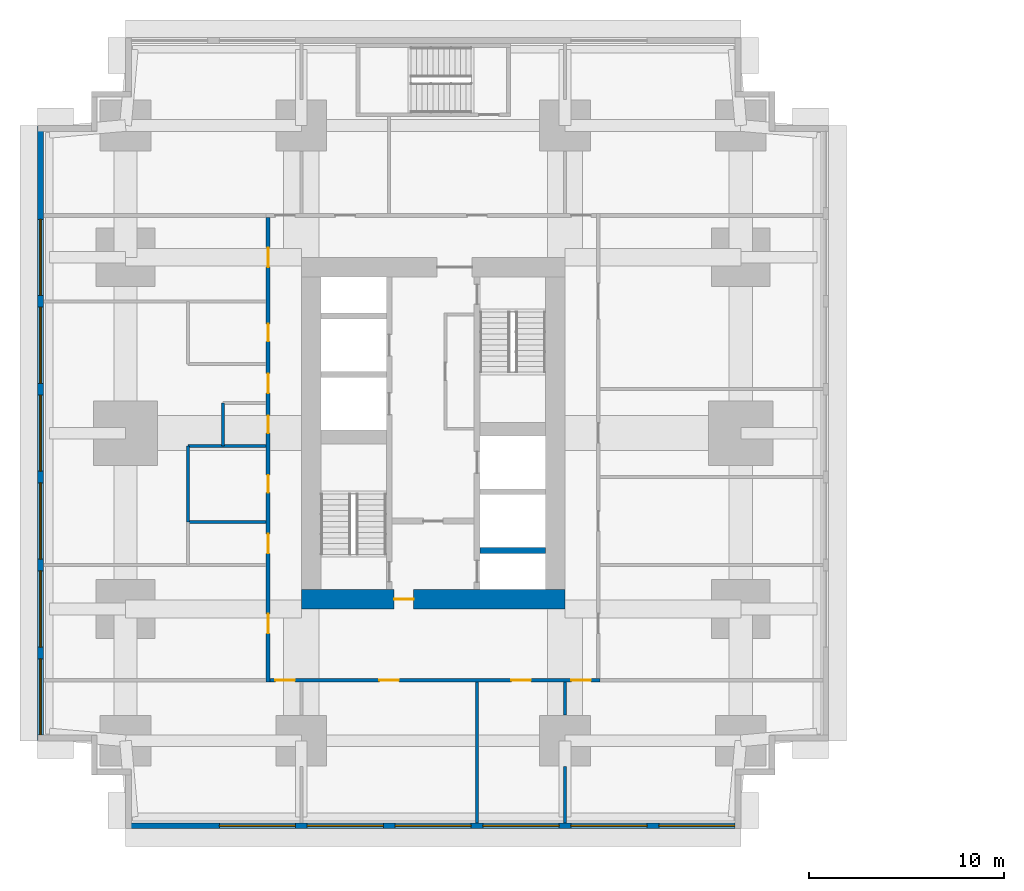
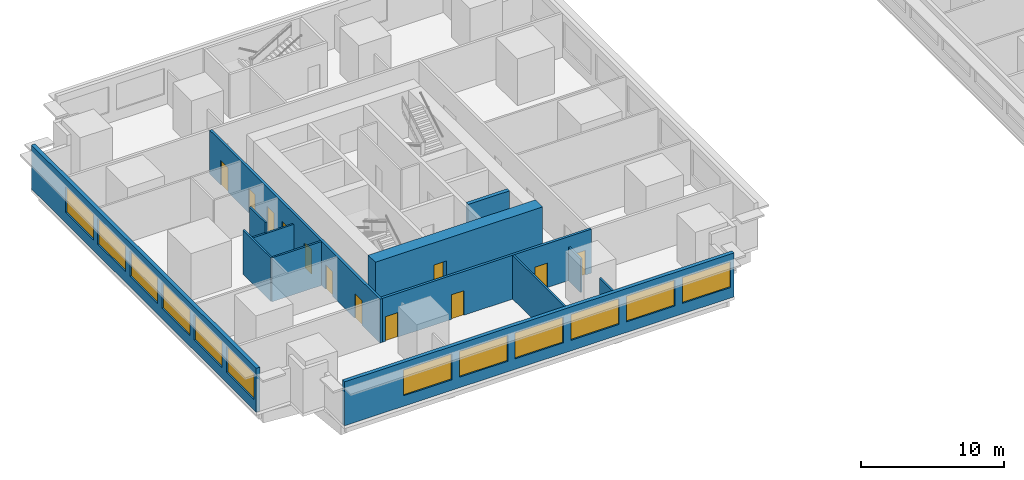
# One storey, part 3 of 11: 13 walls, 12 doors, 12 windows, 24 openings.
"""IFC4 building model written with IfcOpenShell, lengths in metres."""

from ifc_helpers import new_model, si_unit, direction, frame, frame_2d, origin, place, context, subcontext, project, spatial, rectangle, extrude, material, layer, layer_set, type_object, element, fill, save


model = new_model("IFC4")

# Units and contexts
model_context = context("Model", 3, precision=1e-05, world=origin(), true_north=direction((0.0, 1.0)))
body_context = subcontext(model_context, "Body", "Model", "MODEL_VIEW")
ifc_project = project(units=[si_unit("LENGTHUNIT", "METRE"), si_unit("AREAUNIT", "SQUARE_METRE"), si_unit("VOLUMEUNIT", "CUBIC_METRE"), si_unit("PLANEANGLEUNIT", "RADIAN"), si_unit("MASSUNIT", "GRAM", prefix="KILO")], contexts=[model_context])

# Site, building, storey
site_placement = place(None, origin())
site = spatial("IfcSite", under=ifc_project, at=site_placement, CompositionType="ELEMENT")
building_placement = place(site_placement, origin())
building = spatial("IfcBuilding", under=site, at=building_placement, Name="Namib Vertical Campus", CompositionType="ELEMENT")
storey_placement = place(building_placement, frame((0.0, 0.0, 25.0)))
storey = spatial("IfcBuildingStorey", under=building, at=storey_placement, Name="L05", CompositionType="ELEMENT", Elevation=25.0)

# Wall
ifc_material_1 = material(Name="Concrete C60/75", Category="concrete")
ifc_layer_1 = layer(ifc_material_1, 0.300048828125)
ifc_layer_set_1 = layer_set([ifc_layer_1], Name="Concrete C60/75")
wall_type_1 = type_object("IfcWallType", Name="Core inner wall 300", PredefinedType="SHEAR", material=ifc_layer_set_1)
wall_1_placement = place(storey_placement, frame((22.64990234375, 14.25, 0.0), z_axis=(0.0, 0.0, 1.0), x_axis=(1.0, 0.0, 0.0)))
element("IfcWall", 1, at=wall_1_placement, inside=storey, type_object=wall_type_1, Name="Core inner wall A L05 W5", PredefinedType="SHEAR", context=body_context, shape_type="SweptSolid", body=[
    extrude(rectangle(XDim=3.35009765625, YDim=0.300048828125, at=frame_2d((1.675048828125, 0.0))), origin(), (0.0, 0.0, 1.0), 4.0),
])

# Wall, opening, door
ifc_material_2 = material(Name="Concrete C60/75", Category="concrete")
ifc_layer_2 = layer(ifc_material_2, 1.0)
ifc_layer_set_2 = layer_set([ifc_layer_2], Name="Concrete C60/75")
wall_type_2 = type_object("IfcWallType", Name="Core wall 1000", PredefinedType="SHEAR", material=ifc_layer_set_2)
wall_2_placement = place(storey_placement, frame((13.5, 11.75, 0.0), z_axis=(0.0, 0.0, 1.0), x_axis=(1.0, 0.0, 0.0)))
wall_2 = element("IfcWall", 2, at=wall_2_placement, inside=storey, type_object=wall_type_2, Name="Core wall A L05 1", PredefinedType="SHEAR", context=body_context, shape_type="SweptSolid", body=[
    extrude(rectangle(XDim=13.5, YDim=1.0, at=frame_2d((6.75, 0.0))), origin(), (0.0, 0.0, 1.0), 4.0),
])
opening_1_placement = place(wall_2_placement, frame((4.75, 0.0, 0.0)))
opening_1 = element("IfcOpeningElement", 3, at=opening_1_placement, cuts=wall_2, Name="Opening FD5", PredefinedType="OPENING", context=body_context, shape_type="SweptSolid", body=[
    extrude(rectangle(XDim=1.0, YDim=2.10009765625, at=frame_2d((0.5, 1.050048828125))), frame((0.0, 0.510009765625, 0.0), z_axis=(0.0, -1.0, 0.0), x_axis=(1.0, 0.0, 0.0)), (0.0, 0.0, 1.0), 1.02001953125),
])
ifc_material_3 = material(Name="Steel fire door", Category="steel")
door_type_1 = type_object("IfcDoorType", Name="Fire door 1000x2100 120 min", OperationType="SINGLE_SWING_RIGHT", PredefinedType="DOOR", material=ifc_material_3)
door_1_placement = place(opening_1_placement, origin())
door_1 = element("IfcDoor", 4, at=door_1_placement, inside=storey, type_object=door_type_1, Name="Firefighting lobby door FD5 A L05", OperationType="SINGLE_SWING_LEFT", OverallHeight=2.10009765625, OverallWidth=1.0, PredefinedType="DOOR", context=body_context, shape_type="SweptSolid", body=[
    extrude(rectangle(XDim=1.0, YDim=2.10009765625, at=frame_2d((0.5, 1.050048828125))), frame((0.0, 0.02490234375, 0.0), z_axis=(0.0, -1.0, 0.0), x_axis=(1.0, 0.0, 0.0)), (0.0, 0.0, 1.0), 0.050048828125),
])
fill(opening_1, door_1)

# Wall, openings, doors
ifc_material_4 = material(Name="Concrete masonry", Category="masonry")
ifc_layer_3 = layer(ifc_material_4, 0.199951171875)
ifc_layer_set_3 = layer_set([ifc_layer_3], Name="Corridor wall 200")
wall_type_3 = type_object("IfcWallType", Name="Corridor wall 200", PredefinedType="SOLIDWALL", material=ifc_layer_set_3)
wall_3_placement = place(storey_placement, frame((11.89990234375, 7.60009765625, 0.0), z_axis=(0.0, 0.0, 1.0), x_axis=(1.0, 0.0, 0.0)))
wall_3 = element("IfcWall", 5, at=wall_3_placement, inside=storey, type_object=wall_type_3, Name="Corridor wall A L05 CS", PredefinedType="SOLIDWALL", context=body_context, shape_type="SweptSolid", body=[
    extrude(rectangle(XDim=16.900146484375, YDim=0.199951171875, at=frame_2d((8.4501953125, 0.0))), origin(), (0.0, 0.0, 1.0), 3.75),
])
opening_2_placement = place(wall_3_placement, frame((0.27490234375, 0.0, 0.0)))
opening_2 = element("IfcOpeningElement", 6, at=opening_2_placement, cuts=wall_3, Name="Opening CD1", PredefinedType="OPENING", context=body_context, shape_type="SweptSolid", body=[
    extrude(rectangle(XDim=1.0, YDim=2.10009765625, at=frame_2d((0.5, 1.050048828125))), frame((0.0, 0.10986328125, 0.0), z_axis=(0.0, -1.0, 0.0), x_axis=(1.0, 0.0, 0.0)), (0.0, 0.0, 1.0), 0.219970703125),
])
opening_3_placement = place(wall_3_placement, frame((5.60009765625, 0.0, 0.0)))
opening_3 = element("IfcOpeningElement", 7, at=opening_3_placement, cuts=wall_3, Name="Opening CD1", PredefinedType="OPENING", context=body_context, shape_type="SweptSolid", body=[
    extrude(rectangle(XDim=1.0, YDim=2.10009765625, at=frame_2d((0.5, 1.050048828125))), frame((0.0, 0.10986328125, 0.0), z_axis=(0.0, -1.0, 0.0), x_axis=(1.0, 0.0, 0.0)), (0.0, 0.0, 1.0), 0.219970703125),
])
opening_4_placement = place(wall_3_placement, frame((12.35009765625, 0.0, 0.0)))
opening_4 = element("IfcOpeningElement", 8, at=opening_4_placement, cuts=wall_3, Name="Opening CD1", PredefinedType="OPENING", context=body_context, shape_type="SweptSolid", body=[
    extrude(rectangle(XDim=1.0, YDim=2.10009765625, at=frame_2d((0.5, 1.050048828125))), frame((0.0, 0.10986328125, 0.0), z_axis=(0.0, -1.0, 0.0), x_axis=(1.0, 0.0, 0.0)), (0.0, 0.0, 1.0), 0.219970703125),
])
opening_5_placement = place(wall_3_placement, frame((15.425048828125, 0.0, 0.0)))
opening_5 = element("IfcOpeningElement", 9, at=opening_5_placement, cuts=wall_3, Name="Opening CD1", PredefinedType="OPENING", context=body_context, shape_type="SweptSolid", body=[
    extrude(rectangle(XDim=1.0, YDim=2.10009765625, at=frame_2d((0.5, 1.050048828125))), frame((0.0, 0.10986328125, 0.0), z_axis=(0.0, -1.0, 0.0), x_axis=(1.0, 0.0, 0.0)), (0.0, 0.0, 1.0), 0.219970703125),
])
ifc_material_5 = material(Name="Timber fire door leaf", Category="wood")
door_type_2 = type_object("IfcDoorType", Name="Corridor door 1000x2100 20 min", OperationType="SINGLE_SWING_LEFT", PredefinedType="DOOR", material=ifc_material_5)
door_2_placement = place(opening_2_placement, frame((1.0, 0.0, 0.0), z_axis=(0.0, 0.0, 1.0), x_axis=(-1.0, 0.0, 0.0)))
door_2 = element("IfcDoor", 10, at=door_2_placement, inside=storey, type_object=door_type_2, Name="Door CD1 A05-01", OperationType="SINGLE_SWING_LEFT", OverallHeight=2.10009765625, OverallWidth=1.0, PredefinedType="DOOR", context=body_context, shape_type="SweptSolid", body=[
    extrude(rectangle(XDim=1.0, YDim=2.10009765625, at=frame_2d((0.5, 1.050048828125))), frame((0.0, 0.02490234375, 0.0), z_axis=(0.0, -1.0, 0.0), x_axis=(1.0, 0.0, 0.0)), (0.0, 0.0, 1.0), 0.050048828125),
])
fill(opening_2, door_2)
door_3_placement = place(opening_3_placement, frame((1.0, 0.0, 0.0), z_axis=(0.0, 0.0, 1.0), x_axis=(-1.0, 0.0, 0.0)))
door_3 = element("IfcDoor", 11, at=door_3_placement, inside=storey, type_object=door_type_2, Name="Door CD1 A05-02", OperationType="SINGLE_SWING_RIGHT", OverallHeight=2.10009765625, OverallWidth=1.0, PredefinedType="DOOR", context=body_context, shape_type="SweptSolid", body=[
    extrude(rectangle(XDim=1.0, YDim=2.10009765625, at=frame_2d((0.5, 1.050048828125))), frame((0.0, 0.02490234375, 0.0), z_axis=(0.0, -1.0, 0.0), x_axis=(1.0, 0.0, 0.0)), (0.0, 0.0, 1.0), 0.050048828125),
])
fill(opening_3, door_3)
door_4_placement = place(opening_4_placement, frame((1.0, 0.0, 0.0), z_axis=(0.0, 0.0, 1.0), x_axis=(-1.0, 0.0, 0.0)))
door_4 = element("IfcDoor", 12, at=door_4_placement, inside=storey, type_object=door_type_2, Name="Door CD1 A05-03", OperationType="SINGLE_SWING_RIGHT", OverallHeight=2.10009765625, OverallWidth=1.0, PredefinedType="DOOR", context=body_context, shape_type="SweptSolid", body=[
    extrude(rectangle(XDim=1.0, YDim=2.10009765625, at=frame_2d((0.5, 1.050048828125))), frame((0.0, 0.02490234375, 0.0), z_axis=(0.0, -1.0, 0.0), x_axis=(1.0, 0.0, 0.0)), (0.0, 0.0, 1.0), 0.050048828125),
])
fill(opening_4, door_4)
door_5_placement = place(opening_5_placement, frame((1.0, 0.0, 0.0), z_axis=(0.0, 0.0, 1.0), x_axis=(-1.0, 0.0, 0.0)))
door_5 = element("IfcDoor", 13, at=door_5_placement, inside=storey, type_object=door_type_2, Name="Door CD1 A05-04", OperationType="SINGLE_SWING_RIGHT", OverallHeight=2.10009765625, OverallWidth=1.0, PredefinedType="DOOR", context=body_context, shape_type="SweptSolid", body=[
    extrude(rectangle(XDim=1.0, YDim=2.10009765625, at=frame_2d((0.5, 1.050048828125))), frame((0.0, 0.02490234375, 0.0), z_axis=(0.0, -1.0, 0.0), x_axis=(1.0, 0.0, 0.0)), (0.0, 0.0, 1.0), 0.050048828125),
])
fill(opening_5, door_5)

wall_4_placement = place(storey_placement, frame((11.800048828125, 31.300048828125, 0.0), z_axis=(0.0, 0.0, 1.0), x_axis=(0.0, -1.0, 0.0)))
wall_4 = element("IfcWall", 14, at=wall_4_placement, inside=storey, type_object=wall_type_3, Name="Corridor wall A L05 CW", PredefinedType="SOLIDWALL", context=body_context, shape_type="SweptSolid", body=[
    extrude(rectangle(XDim=23.800048828125, YDim=0.199951171875, at=frame_2d((11.89990234375, 0.0))), origin(), (0.0, 0.0, 1.0), 3.75),
])
opening_6_placement = place(wall_4_placement, frame((20.300048828125, 0.0, 0.0)))
opening_6 = element("IfcOpeningElement", 15, at=opening_6_placement, cuts=wall_4, Name="Opening CD1", PredefinedType="OPENING", context=body_context, shape_type="SweptSolid", body=[
    extrude(rectangle(XDim=1.0, YDim=2.10009765625, at=frame_2d((0.5, 1.050048828125))), frame((0.0, 0.10986328125, 0.0), z_axis=(0.0, -1.0, 0.0), x_axis=(1.0, 0.0, 0.0)), (0.0, 0.0, 1.0), 0.219970703125),
])
opening_7_placement = place(wall_4_placement, frame((16.199951171875, 0.0, 0.0)))
opening_7 = element("IfcOpeningElement", 16, at=opening_7_placement, cuts=wall_4, Name="Opening CD1", PredefinedType="OPENING", context=body_context, shape_type="SweptSolid", body=[
    extrude(rectangle(XDim=1.0, YDim=2.10009765625, at=frame_2d((0.5, 1.050048828125))), frame((0.0, 0.10986328125, 0.0), z_axis=(0.0, -1.0, 0.0), x_axis=(1.0, 0.0, 0.0)), (0.0, 0.0, 1.0), 0.219970703125),
])
opening_8_placement = place(wall_4_placement, frame((13.199951171875, 0.0, 0.0)))
opening_8 = element("IfcOpeningElement", 17, at=opening_8_placement, cuts=wall_4, Name="Opening CD3", PredefinedType="OPENING", context=body_context, shape_type="SweptSolid", body=[
    extrude(rectangle(XDim=0.89990234375, YDim=2.10009765625, at=frame_2d((0.449951171875, 1.050048828125))), frame((0.0, 0.10986328125, 0.0), z_axis=(0.0, -1.0, 0.0), x_axis=(1.0, 0.0, 0.0)), (0.0, 0.0, 1.0), 0.219970703125),
])
opening_9_placement = place(wall_4_placement, frame((10.14990234375, 0.0, 0.0)))
opening_9 = element("IfcOpeningElement", 18, at=opening_9_placement, cuts=wall_4, Name="Opening CD3", PredefinedType="OPENING", context=body_context, shape_type="SweptSolid", body=[
    extrude(rectangle(XDim=0.89990234375, YDim=2.10009765625, at=frame_2d((0.449951171875, 1.050048828125))), frame((0.0, 0.10986328125, 0.0), z_axis=(0.0, -1.0, 0.0), x_axis=(1.0, 0.0, 0.0)), (0.0, 0.0, 1.0), 0.219970703125),
])
opening_10_placement = place(wall_4_placement, frame((5.449951171875, 0.0, 0.0)))
opening_10 = element("IfcOpeningElement", 19, at=opening_10_placement, cuts=wall_4, Name="Opening CD3", PredefinedType="OPENING", context=body_context, shape_type="SweptSolid", body=[
    extrude(rectangle(XDim=0.89990234375, YDim=2.10009765625, at=frame_2d((0.449951171875, 1.050048828125))), frame((0.0, 0.10986328125, 0.0), z_axis=(0.0, -1.0, 0.0), x_axis=(1.0, 0.0, 0.0)), (0.0, 0.0, 1.0), 0.219970703125),
])
opening_11_placement = place(wall_4_placement, frame((8.0, 0.0, 0.0)))
opening_11 = element("IfcOpeningElement", 20, at=opening_11_placement, cuts=wall_4, Name="Opening CD1", PredefinedType="OPENING", context=body_context, shape_type="SweptSolid", body=[
    extrude(rectangle(XDim=1.0, YDim=2.10009765625, at=frame_2d((0.5, 1.050048828125))), frame((0.0, 0.10986328125, 0.0), z_axis=(0.0, -1.0, 0.0), x_axis=(1.0, 0.0, 0.0)), (0.0, 0.0, 1.0), 0.219970703125),
])
opening_12_placement = place(wall_4_placement, frame((1.550048828125, 0.0, 0.0)))
opening_12 = element("IfcOpeningElement", 21, at=opening_12_placement, cuts=wall_4, Name="Opening CD1", PredefinedType="OPENING", context=body_context, shape_type="SweptSolid", body=[
    extrude(rectangle(XDim=1.0, YDim=2.10009765625, at=frame_2d((0.5, 1.050048828125))), frame((0.0, 0.10986328125, 0.0), z_axis=(0.0, -1.0, 0.0), x_axis=(1.0, 0.0, 0.0)), (0.0, 0.0, 1.0), 0.219970703125),
])
door_6_placement = place(opening_6_placement, frame((1.0, 0.0, 0.0), z_axis=(0.0, 0.0, 1.0), x_axis=(-1.0, 0.0, 0.0)))
door_6 = element("IfcDoor", 22, at=door_6_placement, inside=storey, type_object=door_type_2, Name="Door CD1 A05-13", OperationType="SINGLE_SWING_RIGHT", OverallHeight=2.10009765625, OverallWidth=1.0, PredefinedType="DOOR", context=body_context, shape_type="SweptSolid", body=[
    extrude(rectangle(XDim=1.0, YDim=2.10009765625, at=frame_2d((0.5, 1.050048828125))), frame((0.0, 0.02490234375, 0.0), z_axis=(0.0, -1.0, 0.0), x_axis=(1.0, 0.0, 0.0)), (0.0, 0.0, 1.0), 0.050048828125),
])
fill(opening_6, door_6)
door_7_placement = place(opening_7_placement, frame((1.0, 0.0, 0.0), z_axis=(0.0, 0.0, 1.0), x_axis=(-1.0, 0.0, 0.0)))
door_7 = element("IfcDoor", 23, at=door_7_placement, inside=storey, type_object=door_type_2, Name="Door CD1 A05-14", OperationType="SINGLE_SWING_RIGHT", OverallHeight=2.10009765625, OverallWidth=1.0, PredefinedType="DOOR", context=body_context, shape_type="SweptSolid", body=[
    extrude(rectangle(XDim=1.0, YDim=2.10009765625, at=frame_2d((0.5, 1.050048828125))), frame((0.0, 0.02490234375, 0.0), z_axis=(0.0, -1.0, 0.0), x_axis=(1.0, 0.0, 0.0)), (0.0, 0.0, 1.0), 0.050048828125),
])
fill(opening_7, door_7)
door_8_placement = place(opening_11_placement, frame((1.0, 0.0, 0.0), z_axis=(0.0, 0.0, 1.0), x_axis=(-1.0, 0.0, 0.0)))
door_8 = element("IfcDoor", 24, at=door_8_placement, inside=storey, type_object=door_type_2, Name="Door CD1 A05-18", OperationType="SINGLE_SWING_RIGHT", OverallHeight=2.10009765625, OverallWidth=1.0, PredefinedType="DOOR", context=body_context, shape_type="SweptSolid", body=[
    extrude(rectangle(XDim=1.0, YDim=2.10009765625, at=frame_2d((0.5, 1.050048828125))), frame((0.0, 0.02490234375, 0.0), z_axis=(0.0, -1.0, 0.0), x_axis=(1.0, 0.0, 0.0)), (0.0, 0.0, 1.0), 0.050048828125),
])
fill(opening_11, door_8)
door_9_placement = place(opening_12_placement, frame((1.0, 0.0, 0.0), z_axis=(0.0, 0.0, 1.0), x_axis=(-1.0, 0.0, 0.0)))
door_9 = element("IfcDoor", 25, at=door_9_placement, inside=storey, type_object=door_type_2, Name="Door CD1 A05-19", OperationType="SINGLE_SWING_RIGHT", OverallHeight=2.10009765625, OverallWidth=1.0, PredefinedType="DOOR", context=body_context, shape_type="SweptSolid", body=[
    extrude(rectangle(XDim=1.0, YDim=2.10009765625, at=frame_2d((0.5, 1.050048828125))), frame((0.0, 0.02490234375, 0.0), z_axis=(0.0, -1.0, 0.0), x_axis=(1.0, 0.0, 0.0)), (0.0, 0.0, 1.0), 0.050048828125),
])
fill(opening_12, door_9)
ifc_material_6 = material(Name="Timber fire door leaf", Category="wood")
door_type_3 = type_object("IfcDoorType", Name="Corridor toilet door 900x2100 20 min", OperationType="SINGLE_SWING_LEFT", PredefinedType="DOOR", material=ifc_material_6)
door_10_placement = place(opening_8_placement, frame((0.89990234375, 0.0, 0.0), z_axis=(0.0, 0.0, 1.0), x_axis=(-1.0, 0.0, 0.0)))
door_10 = element("IfcDoor", 26, at=door_10_placement, inside=storey, type_object=door_type_3, Name="Door CD3 A05-15", OperationType="SINGLE_SWING_RIGHT", OverallHeight=2.10009765625, OverallWidth=0.89990234375, PredefinedType="DOOR", context=body_context, shape_type="SweptSolid", body=[
    extrude(rectangle(XDim=0.89990234375, YDim=2.10009765625, at=frame_2d((0.449951171875, 1.050048828125))), frame((0.0, 0.02490234375, 0.0), z_axis=(0.0, -1.0, 0.0), x_axis=(1.0, 0.0, 0.0)), (0.0, 0.0, 1.0), 0.050048828125),
])
fill(opening_8, door_10)
door_11_placement = place(opening_9_placement, frame((0.89990234375, 0.0, 0.0), z_axis=(0.0, 0.0, 1.0), x_axis=(-1.0, 0.0, 0.0)))
door_11 = element("IfcDoor", 27, at=door_11_placement, inside=storey, type_object=door_type_3, Name="Door CD3 A05-16", OperationType="SINGLE_SWING_RIGHT", OverallHeight=2.10009765625, OverallWidth=0.89990234375, PredefinedType="DOOR", context=body_context, shape_type="SweptSolid", body=[
    extrude(rectangle(XDim=0.89990234375, YDim=2.10009765625, at=frame_2d((0.449951171875, 1.050048828125))), frame((0.0, 0.02490234375, 0.0), z_axis=(0.0, -1.0, 0.0), x_axis=(1.0, 0.0, 0.0)), (0.0, 0.0, 1.0), 0.050048828125),
])
fill(opening_9, door_11)
door_12_placement = place(opening_10_placement, frame((0.89990234375, 0.0, 0.0), z_axis=(0.0, 0.0, 1.0), x_axis=(-1.0, 0.0, 0.0)))
door_12 = element("IfcDoor", 28, at=door_12_placement, inside=storey, type_object=door_type_3, Name="Door CD3 A05-17", OperationType="SINGLE_SWING_RIGHT", OverallHeight=2.10009765625, OverallWidth=0.89990234375, PredefinedType="DOOR", context=body_context, shape_type="SweptSolid", body=[
    extrude(rectangle(XDim=0.89990234375, YDim=2.10009765625, at=frame_2d((0.449951171875, 1.050048828125))), frame((0.0, 0.02490234375, 0.0), z_axis=(0.0, -1.0, 0.0), x_axis=(1.0, 0.0, 0.0)), (0.0, 0.0, 1.0), 0.050048828125),
])
fill(opening_10, door_12)

# Wall, openings, windows
ifc_material_7 = material(Name="Concrete C40/50", Category="concrete")
ifc_layer_4 = layer(ifc_material_7, 0.300048828125)
ifc_layer_set_4 = layer_set([ifc_layer_4], Name="Concrete C40/50")
wall_type_4 = type_object("IfcWallType", Name="External wall 300 board-marked concrete", PredefinedType="STANDARD", material=ifc_layer_set_4)
wall_5_placement = place(storey_placement, frame((4.52001953125, 0.14990234375, 0.0), z_axis=(0.0, 0.0, 1.0), x_axis=(1.0, 0.0, 0.0)))
wall_5 = element("IfcWall", 29, at=wall_5_placement, inside=storey, type_object=wall_type_4, Name="External wall L05 F01", PredefinedType="STANDARD", context=body_context, shape_type="SweptSolid", body=[
    extrude(rectangle(XDim=31.4599609375, YDim=0.300048828125, at=frame_2d((15.72998046875, 0.0))), origin(), (0.0, 0.0, 1.0), 3.75),
])
opening_13_placement = place(wall_5_placement, frame((4.780029296875, 0.0, 0.89990234375)))
opening_13 = element("IfcOpeningElement", 30, at=opening_13_placement, cuts=wall_5, Name="Opening W1", PredefinedType="OPENING", context=body_context, shape_type="SweptSolid", body=[
    extrude(rectangle(XDim=3.89990234375, YDim=2.199951171875, at=frame_2d((1.949951171875, 1.10009765625))), frame((0.0, 0.159912109375, 0.0), z_axis=(0.0, -1.0, 0.0), x_axis=(1.0, 0.0, 0.0)), (0.0, 0.0, 1.0), 0.320068359375),
])
opening_14_placement = place(wall_5_placement, frame((9.280029296875, 0.0, 0.89990234375)))
opening_14 = element("IfcOpeningElement", 31, at=opening_14_placement, cuts=wall_5, Name="Opening W1", PredefinedType="OPENING", context=body_context, shape_type="SweptSolid", body=[
    extrude(rectangle(XDim=3.89990234375, YDim=2.199951171875, at=frame_2d((1.949951171875, 1.10009765625))), frame((0.0, 0.159912109375, 0.0), z_axis=(0.0, -1.0, 0.0), x_axis=(1.0, 0.0, 0.0)), (0.0, 0.0, 1.0), 0.320068359375),
])
opening_15_placement = place(wall_5_placement, frame((13.780029296875, 0.0, 0.89990234375)))
opening_15 = element("IfcOpeningElement", 32, at=opening_15_placement, cuts=wall_5, Name="Opening W1", PredefinedType="OPENING", context=body_context, shape_type="SweptSolid", body=[
    extrude(rectangle(XDim=3.89990234375, YDim=2.199951171875, at=frame_2d((1.949951171875, 1.10009765625))), frame((0.0, 0.159912109375, 0.0), z_axis=(0.0, -1.0, 0.0), x_axis=(1.0, 0.0, 0.0)), (0.0, 0.0, 1.0), 0.320068359375),
])
opening_16_placement = place(wall_5_placement, frame((18.280029296875, 0.0, 0.89990234375)))
opening_16 = element("IfcOpeningElement", 33, at=opening_16_placement, cuts=wall_5, Name="Opening W1", PredefinedType="OPENING", context=body_context, shape_type="SweptSolid", body=[
    extrude(rectangle(XDim=3.89990234375, YDim=2.199951171875, at=frame_2d((1.949951171875, 1.10009765625))), frame((0.0, 0.159912109375, 0.0), z_axis=(0.0, -1.0, 0.0), x_axis=(1.0, 0.0, 0.0)), (0.0, 0.0, 1.0), 0.320068359375),
])
opening_17_placement = place(wall_5_placement, frame((22.780029296875, 0.0, 0.89990234375)))
opening_17 = element("IfcOpeningElement", 34, at=opening_17_placement, cuts=wall_5, Name="Opening W1", PredefinedType="OPENING", context=body_context, shape_type="SweptSolid", body=[
    extrude(rectangle(XDim=3.89990234375, YDim=2.199951171875, at=frame_2d((1.949951171875, 1.10009765625))), frame((0.0, 0.159912109375, 0.0), z_axis=(0.0, -1.0, 0.0), x_axis=(1.0, 0.0, 0.0)), (0.0, 0.0, 1.0), 0.320068359375),
])
opening_18_placement = place(wall_5_placement, frame((27.280029296875, 0.0, 0.89990234375)))
opening_18 = element("IfcOpeningElement", 35, at=opening_18_placement, cuts=wall_5, Name="Opening W1", PredefinedType="OPENING", context=body_context, shape_type="SweptSolid", body=[
    extrude(rectangle(XDim=3.89990234375, YDim=2.199951171875, at=frame_2d((1.949951171875, 1.10009765625))), frame((0.0, 0.159912109375, 0.0), z_axis=(0.0, -1.0, 0.0), x_axis=(1.0, 0.0, 0.0)), (0.0, 0.0, 1.0), 0.320068359375),
])
ifc_material_8 = material(Name="Dark tinted glass in black aluminium frame", Category="aluminium")
window_type = type_object("IfcWindowType", Name="Ribbon window 3900x2200", PartitioningType="SINGLE_PANEL", PredefinedType="WINDOW", material=ifc_material_8)
window_1_placement = place(opening_13_placement, origin())
window_1 = element("IfcWindow", 36, at=window_1_placement, inside=storey, type_object=window_type, Name="Window W1 L05 F01-2", OverallHeight=2.199951171875, OverallWidth=3.89990234375, PartitioningType="SINGLE_PANEL", PredefinedType="WINDOW", context=body_context, shape_type="SweptSolid", body=[
    extrude(rectangle(XDim=3.89990234375, YDim=2.199951171875, at=frame_2d((1.949951171875, 1.10009765625))), frame((0.0, 0.030029296875, 0.0), z_axis=(0.0, -1.0, 0.0), x_axis=(1.0, 0.0, 0.0)), (0.0, 0.0, 1.0), 0.06005859375),
])
fill(opening_13, window_1)
window_2_placement = place(opening_14_placement, origin())
window_2 = element("IfcWindow", 37, at=window_2_placement, inside=storey, type_object=window_type, Name="Window W1 L05 F01-3", OverallHeight=2.199951171875, OverallWidth=3.89990234375, PartitioningType="SINGLE_PANEL", PredefinedType="WINDOW", context=body_context, shape_type="SweptSolid", body=[
    extrude(rectangle(XDim=3.89990234375, YDim=2.199951171875, at=frame_2d((1.949951171875, 1.10009765625))), frame((0.0, 0.030029296875, 0.0), z_axis=(0.0, -1.0, 0.0), x_axis=(1.0, 0.0, 0.0)), (0.0, 0.0, 1.0), 0.06005859375),
])
fill(opening_14, window_2)
window_3_placement = place(opening_15_placement, origin())
window_3 = element("IfcWindow", 38, at=window_3_placement, inside=storey, type_object=window_type, Name="Window W1 L05 F01-4", OverallHeight=2.199951171875, OverallWidth=3.89990234375, PartitioningType="SINGLE_PANEL", PredefinedType="WINDOW", context=body_context, shape_type="SweptSolid", body=[
    extrude(rectangle(XDim=3.89990234375, YDim=2.199951171875, at=frame_2d((1.949951171875, 1.10009765625))), frame((0.0, 0.030029296875, 0.0), z_axis=(0.0, -1.0, 0.0), x_axis=(1.0, 0.0, 0.0)), (0.0, 0.0, 1.0), 0.06005859375),
])
fill(opening_15, window_3)
window_4_placement = place(opening_16_placement, origin())
window_4 = element("IfcWindow", 39, at=window_4_placement, inside=storey, type_object=window_type, Name="Window W1 L05 F01-5", OverallHeight=2.199951171875, OverallWidth=3.89990234375, PartitioningType="SINGLE_PANEL", PredefinedType="WINDOW", context=body_context, shape_type="SweptSolid", body=[
    extrude(rectangle(XDim=3.89990234375, YDim=2.199951171875, at=frame_2d((1.949951171875, 1.10009765625))), frame((0.0, 0.030029296875, 0.0), z_axis=(0.0, -1.0, 0.0), x_axis=(1.0, 0.0, 0.0)), (0.0, 0.0, 1.0), 0.06005859375),
])
fill(opening_16, window_4)
window_5_placement = place(opening_17_placement, origin())
window_5 = element("IfcWindow", 40, at=window_5_placement, inside=storey, type_object=window_type, Name="Window W1 L05 F01-6", OverallHeight=2.199951171875, OverallWidth=3.89990234375, PartitioningType="SINGLE_PANEL", PredefinedType="WINDOW", context=body_context, shape_type="SweptSolid", body=[
    extrude(rectangle(XDim=3.89990234375, YDim=2.199951171875, at=frame_2d((1.949951171875, 1.10009765625))), frame((0.0, 0.030029296875, 0.0), z_axis=(0.0, -1.0, 0.0), x_axis=(1.0, 0.0, 0.0)), (0.0, 0.0, 1.0), 0.06005859375),
])
fill(opening_17, window_5)
window_6_placement = place(opening_18_placement, origin())
window_6 = element("IfcWindow", 41, at=window_6_placement, inside=storey, type_object=window_type, Name="Window W1 L05 F01-7", OverallHeight=2.199951171875, OverallWidth=3.89990234375, PartitioningType="SINGLE_PANEL", PredefinedType="WINDOW", context=body_context, shape_type="SweptSolid", body=[
    extrude(rectangle(XDim=3.89990234375, YDim=2.199951171875, at=frame_2d((1.949951171875, 1.10009765625))), frame((0.0, 0.030029296875, 0.0), z_axis=(0.0, -1.0, 0.0), x_axis=(1.0, 0.0, 0.0)), (0.0, 0.0, 1.0), 0.06005859375),
])
fill(opening_18, window_6)

wall_6_placement = place(storey_placement, frame((0.14990234375, 35.97998046875, 0.0), z_axis=(0.0, 0.0, 1.0), x_axis=(0.0, -1.0, 0.0)))
wall_6 = element("IfcWall", 42, at=wall_6_placement, inside=storey, type_object=wall_type_4, Name="External wall L05 F16", PredefinedType="STANDARD", context=body_context, shape_type="SweptSolid", body=[
    extrude(rectangle(XDim=31.4599609375, YDim=0.300048828125, at=frame_2d((15.72998046875, 0.0))), origin(), (0.0, 0.0, 1.0), 3.75),
])
opening_19_placement = place(wall_6_placement, frame((27.280029296875, 0.0, 0.89990234375)))
opening_19 = element("IfcOpeningElement", 43, at=opening_19_placement, cuts=wall_6, Name="Opening W1", PredefinedType="OPENING", context=body_context, shape_type="SweptSolid", body=[
    extrude(rectangle(XDim=3.89990234375, YDim=2.199951171875, at=frame_2d((1.949951171875, 1.10009765625))), frame((0.0, 0.159912109375, 0.0), z_axis=(0.0, -1.0, 0.0), x_axis=(1.0, 0.0, 0.0)), (0.0, 0.0, 1.0), 0.320068359375),
])
opening_20_placement = place(wall_6_placement, frame((22.780029296875, 0.0, 0.89990234375)))
opening_20 = element("IfcOpeningElement", 44, at=opening_20_placement, cuts=wall_6, Name="Opening W1", PredefinedType="OPENING", context=body_context, shape_type="SweptSolid", body=[
    extrude(rectangle(XDim=3.89990234375, YDim=2.199951171875, at=frame_2d((1.949951171875, 1.10009765625))), frame((0.0, 0.159912109375, 0.0), z_axis=(0.0, -1.0, 0.0), x_axis=(1.0, 0.0, 0.0)), (0.0, 0.0, 1.0), 0.320068359375),
])
opening_21_placement = place(wall_6_placement, frame((18.280029296875, 0.0, 0.89990234375)))
opening_21 = element("IfcOpeningElement", 45, at=opening_21_placement, cuts=wall_6, Name="Opening W1", PredefinedType="OPENING", context=body_context, shape_type="SweptSolid", body=[
    extrude(rectangle(XDim=3.89990234375, YDim=2.199951171875, at=frame_2d((1.949951171875, 1.10009765625))), frame((0.0, 0.159912109375, 0.0), z_axis=(0.0, -1.0, 0.0), x_axis=(1.0, 0.0, 0.0)), (0.0, 0.0, 1.0), 0.320068359375),
])
opening_22_placement = place(wall_6_placement, frame((13.780029296875, 0.0, 0.89990234375)))
opening_22 = element("IfcOpeningElement", 46, at=opening_22_placement, cuts=wall_6, Name="Opening W1", PredefinedType="OPENING", context=body_context, shape_type="SweptSolid", body=[
    extrude(rectangle(XDim=3.89990234375, YDim=2.199951171875, at=frame_2d((1.949951171875, 1.10009765625))), frame((0.0, 0.159912109375, 0.0), z_axis=(0.0, -1.0, 0.0), x_axis=(1.0, 0.0, 0.0)), (0.0, 0.0, 1.0), 0.320068359375),
])
opening_23_placement = place(wall_6_placement, frame((9.280029296875, 0.0, 0.89990234375)))
opening_23 = element("IfcOpeningElement", 47, at=opening_23_placement, cuts=wall_6, Name="Opening W1", PredefinedType="OPENING", context=body_context, shape_type="SweptSolid", body=[
    extrude(rectangle(XDim=3.89990234375, YDim=2.199951171875, at=frame_2d((1.949951171875, 1.10009765625))), frame((0.0, 0.159912109375, 0.0), z_axis=(0.0, -1.0, 0.0), x_axis=(1.0, 0.0, 0.0)), (0.0, 0.0, 1.0), 0.320068359375),
])
opening_24_placement = place(wall_6_placement, frame((4.780029296875, 0.0, 0.89990234375)))
opening_24 = element("IfcOpeningElement", 48, at=opening_24_placement, cuts=wall_6, Name="Opening W1", PredefinedType="OPENING", context=body_context, shape_type="SweptSolid", body=[
    extrude(rectangle(XDim=3.89990234375, YDim=2.199951171875, at=frame_2d((1.949951171875, 1.10009765625))), frame((0.0, 0.159912109375, 0.0), z_axis=(0.0, -1.0, 0.0), x_axis=(1.0, 0.0, 0.0)), (0.0, 0.0, 1.0), 0.320068359375),
])
window_7_placement = place(opening_19_placement, origin())
window_7 = element("IfcWindow", 49, at=window_7_placement, inside=storey, type_object=window_type, Name="Window W1 L05 F16-1", OverallHeight=2.199951171875, OverallWidth=3.89990234375, PartitioningType="SINGLE_PANEL", PredefinedType="WINDOW", context=body_context, shape_type="SweptSolid", body=[
    extrude(rectangle(XDim=3.89990234375, YDim=2.199951171875, at=frame_2d((1.949951171875, 1.10009765625))), frame((0.0, 0.030029296875, 0.0), z_axis=(0.0, -1.0, 0.0), x_axis=(1.0, 0.0, 0.0)), (0.0, 0.0, 1.0), 0.06005859375),
])
fill(opening_19, window_7)
window_8_placement = place(opening_20_placement, origin())
window_8 = element("IfcWindow", 50, at=window_8_placement, inside=storey, type_object=window_type, Name="Window W1 L05 F16-2", OverallHeight=2.199951171875, OverallWidth=3.89990234375, PartitioningType="SINGLE_PANEL", PredefinedType="WINDOW", context=body_context, shape_type="SweptSolid", body=[
    extrude(rectangle(XDim=3.89990234375, YDim=2.199951171875, at=frame_2d((1.949951171875, 1.10009765625))), frame((0.0, 0.030029296875, 0.0), z_axis=(0.0, -1.0, 0.0), x_axis=(1.0, 0.0, 0.0)), (0.0, 0.0, 1.0), 0.06005859375),
])
fill(opening_20, window_8)
window_9_placement = place(opening_21_placement, origin())
window_9 = element("IfcWindow", 51, at=window_9_placement, inside=storey, type_object=window_type, Name="Window W1 L05 F16-3", OverallHeight=2.199951171875, OverallWidth=3.89990234375, PartitioningType="SINGLE_PANEL", PredefinedType="WINDOW", context=body_context, shape_type="SweptSolid", body=[
    extrude(rectangle(XDim=3.89990234375, YDim=2.199951171875, at=frame_2d((1.949951171875, 1.10009765625))), frame((0.0, 0.030029296875, 0.0), z_axis=(0.0, -1.0, 0.0), x_axis=(1.0, 0.0, 0.0)), (0.0, 0.0, 1.0), 0.06005859375),
])
fill(opening_21, window_9)
window_10_placement = place(opening_22_placement, origin())
window_10 = element("IfcWindow", 52, at=window_10_placement, inside=storey, type_object=window_type, Name="Window W1 L05 F16-4", OverallHeight=2.199951171875, OverallWidth=3.89990234375, PartitioningType="SINGLE_PANEL", PredefinedType="WINDOW", context=body_context, shape_type="SweptSolid", body=[
    extrude(rectangle(XDim=3.89990234375, YDim=2.199951171875, at=frame_2d((1.949951171875, 1.10009765625))), frame((0.0, 0.030029296875, 0.0), z_axis=(0.0, -1.0, 0.0), x_axis=(1.0, 0.0, 0.0)), (0.0, 0.0, 1.0), 0.06005859375),
])
fill(opening_22, window_10)
window_11_placement = place(opening_23_placement, origin())
window_11 = element("IfcWindow", 53, at=window_11_placement, inside=storey, type_object=window_type, Name="Window W1 L05 F16-5", OverallHeight=2.199951171875, OverallWidth=3.89990234375, PartitioningType="SINGLE_PANEL", PredefinedType="WINDOW", context=body_context, shape_type="SweptSolid", body=[
    extrude(rectangle(XDim=3.89990234375, YDim=2.199951171875, at=frame_2d((1.949951171875, 1.10009765625))), frame((0.0, 0.030029296875, 0.0), z_axis=(0.0, -1.0, 0.0), x_axis=(1.0, 0.0, 0.0)), (0.0, 0.0, 1.0), 0.06005859375),
])
fill(opening_23, window_11)
window_12_placement = place(opening_24_placement, origin())
window_12 = element("IfcWindow", 54, at=window_12_placement, inside=storey, type_object=window_type, Name="Window W1 L05 F16-6", OverallHeight=2.199951171875, OverallWidth=3.89990234375, PartitioningType="SINGLE_PANEL", PredefinedType="WINDOW", context=body_context, shape_type="SweptSolid", body=[
    extrude(rectangle(XDim=3.89990234375, YDim=2.199951171875, at=frame_2d((1.949951171875, 1.10009765625))), frame((0.0, 0.030029296875, 0.0), z_axis=(0.0, -1.0, 0.0), x_axis=(1.0, 0.0, 0.0)), (0.0, 0.0, 1.0), 0.06005859375),
])
fill(opening_24, window_12)

# Walls
ifc_material_9 = material(Name="Gypsum board on steel studs", Category="steel")
ifc_layer_5 = layer(ifc_material_9, 0.14990234375)
ifc_layer_set_5 = layer_set([ifc_layer_5], Name="Gypsum board on steel studs")
wall_type_5 = type_object("IfcWallType", Name="Partition 150", PredefinedType="PARTITIONING", material=ifc_layer_set_5)
wall_7_placement = place(storey_placement, frame((22.5, 0.300048828125, 0.0), z_axis=(0.0, 0.0, 1.0), x_axis=(0.0, 1.0, 0.0)))
element("IfcWall", 55, at=wall_7_placement, inside=storey, type_object=wall_type_5, Name="Partition A L05 PS2", PredefinedType="PARTITIONING", context=body_context, shape_type="SweptSolid", body=[
    extrude(rectangle(XDim=7.199951171875, YDim=0.14990234375, at=frame_2d((3.60009765625, 0.0))), origin(), (0.0, 0.0, 1.0), 3.75),
])
wall_8_placement = place(storey_placement, frame((27.0, 0.300048828125, 0.0), z_axis=(0.0, 0.0, 1.0), x_axis=(0.0, 1.0, 0.0)))
element("IfcWall", 56, at=wall_8_placement, inside=storey, type_object=wall_type_5, Name="Partition A L05 PS3", PredefinedType="PARTITIONING", context=body_context, shape_type="SweptSolid", body=[
    extrude(rectangle(XDim=2.8798828125, YDim=0.14990234375, at=frame_2d((1.43994140625, 0.0))), origin(), (0.0, 0.0, 1.0), 2.85009765625),
])
wall_9_placement = place(storey_placement, frame((27.0, 5.820068359375, 0.0), z_axis=(0.0, 0.0, 1.0), x_axis=(0.0, 1.0, 0.0)))
element("IfcWall", 57, at=wall_9_placement, inside=storey, type_object=wall_type_5, Name="Partition A L05 PS3", PredefinedType="PARTITIONING", context=body_context, shape_type="SweptSolid", body=[
    extrude(rectangle(XDim=1.679931640625, YDim=0.14990234375, at=frame_2d((0.83984375, 0.0))), origin(), (0.0, 0.0, 1.0), 2.85009765625),
])
wall_10_placement = place(storey_placement, frame((11.699951171875, 15.699951171875, 0.0), z_axis=(0.0, 0.0, 1.0), x_axis=(-1.0, 0.0, 0.0)))
element("IfcWall", 58, at=wall_10_placement, inside=storey, type_object=wall_type_5, Name="Partition A L05 WR1", PredefinedType="PARTITIONING", context=body_context, shape_type="SweptSolid", body=[
    extrude(rectangle(XDim=4.0, YDim=0.14990234375, at=frame_2d((2.0, 0.0))), origin(), (0.0, 0.0, 1.0), 3.75),
])
wall_11_placement = place(storey_placement, frame((11.699951171875, 19.60009765625, 0.0), z_axis=(0.0, 0.0, 1.0), x_axis=(-1.0, 0.0, 0.0)))
element("IfcWall", 59, at=wall_11_placement, inside=storey, type_object=wall_type_5, Name="Partition A L05 WR2", PredefinedType="PARTITIONING", context=body_context, shape_type="SweptSolid", body=[
    extrude(rectangle(XDim=4.0, YDim=0.14990234375, at=frame_2d((2.0, 0.0))), origin(), (0.0, 0.0, 1.0), 2.85009765625),
])
wall_12_placement = place(storey_placement, frame((7.699951171875, 15.699951171875, 0.0), z_axis=(0.0, 0.0, 1.0), x_axis=(0.0, 1.0, 0.0)))
element("IfcWall", 60, at=wall_12_placement, inside=storey, type_object=wall_type_5, Name="Partition A L05 WB2", PredefinedType="PARTITIONING", context=body_context, shape_type="SweptSolid", body=[
    extrude(rectangle(XDim=3.900146484375, YDim=0.14990234375, at=frame_2d((1.9501953125, 0.0))), origin(), (0.0, 0.0, 1.0), 3.75),
])
wall_13_placement = place(storey_placement, frame((9.5, 19.60009765625, 0.0), z_axis=(0.0, 0.0, 1.0), x_axis=(0.0, 1.0, 0.0)))
element("IfcWall", 61, at=wall_13_placement, inside=storey, type_object=wall_type_5, Name="Partition A L05 WB3", PredefinedType="PARTITIONING", context=body_context, shape_type="SweptSolid", body=[
    extrude(rectangle(XDim=2.199951171875, YDim=0.14990234375, at=frame_2d((1.10009765625, 0.0))), origin(), (0.0, 0.0, 1.0), 3.75),
])

save(model, "model.ifc")
